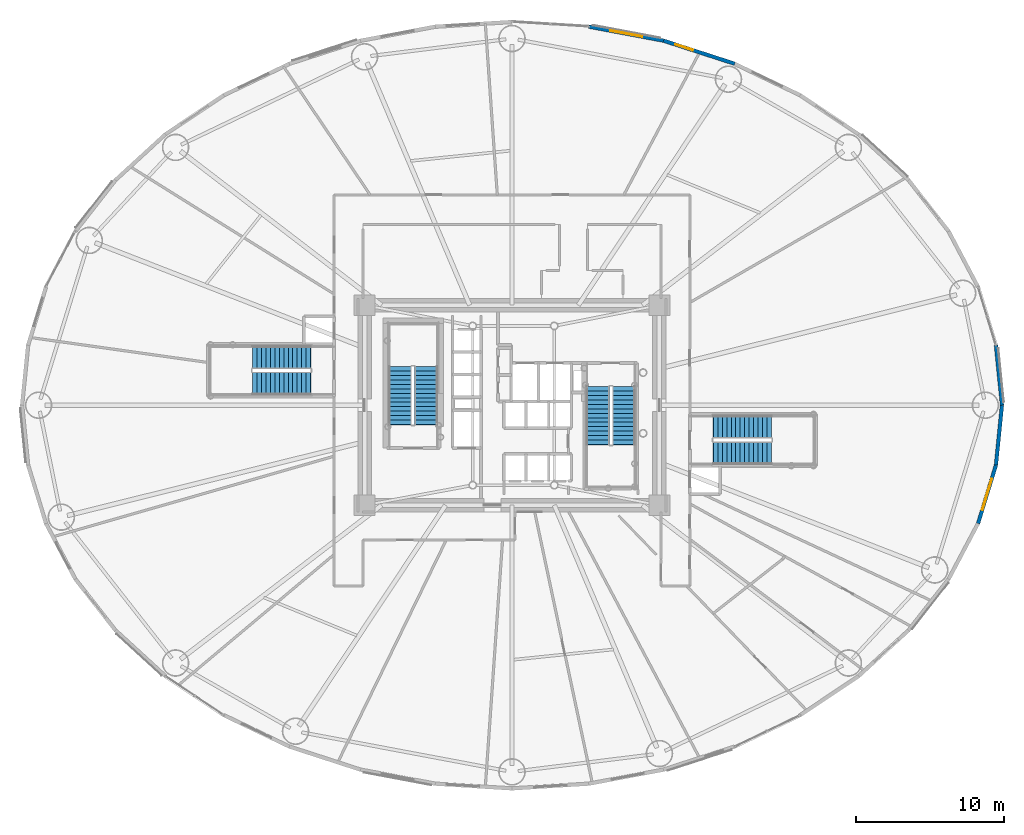
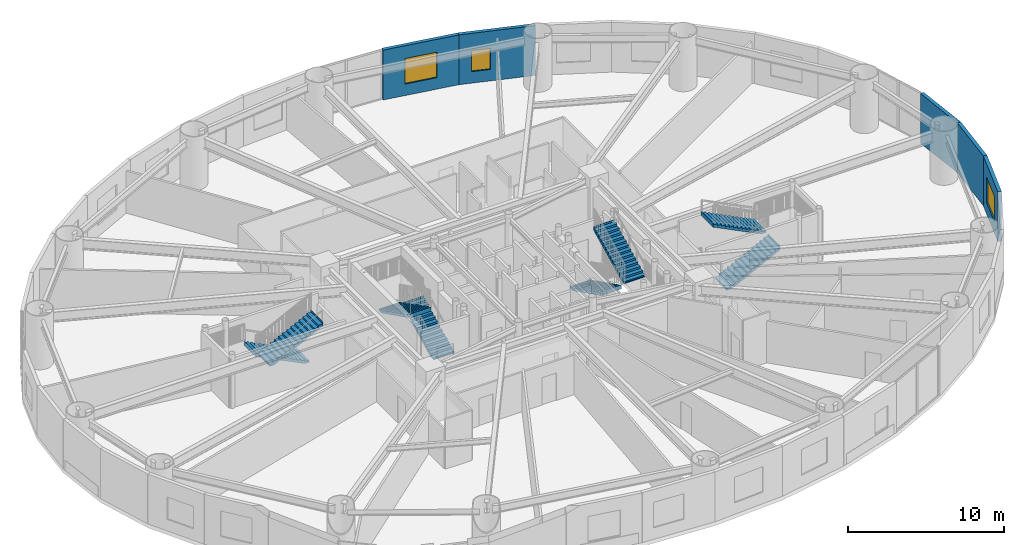
# One storey, part 17 of 27: 8 stair flights, 5 walls, 3 windows, 3 openings, 4 elements without a shape of their own.
"""IFC4 building model written with IfcOpenShell, lengths in metres."""

from ifc_helpers import new_model, si_unit, direction, frame, frame_2d, origin, origin_2d, place, context, subcontext, project, spatial, polyline, rectangle, outline, extrude, source, transform, mapped, material, layer, layer_set, type_object, element, fill, aggregate, save


model = new_model("IFC4")

# Units and contexts
model_context = context("Model", 3, precision=1e-05, world=origin(), true_north=direction((0.0, 1.0)))
body_context = subcontext(model_context, "Body", "Model", "MODEL_VIEW")
ifc_project = project(units=[si_unit("LENGTHUNIT", "METRE"), si_unit("AREAUNIT", "SQUARE_METRE"), si_unit("VOLUMEUNIT", "CUBIC_METRE"), si_unit("PLANEANGLEUNIT", "RADIAN"), si_unit("MASSUNIT", "GRAM", prefix="KILO")], contexts=[model_context])

# Site, building, storey
site_placement = place(None, origin())
site = spatial("IfcSite", under=ifc_project, at=site_placement, CompositionType="ELEMENT")
building_placement = place(site_placement, origin())
building = spatial("IfcBuilding", under=site, at=building_placement, Name="Linh Dai School and Residence Tower", CompositionType="ELEMENT")
storey_placement = place(building_placement, frame((0.0, 0.0, 18.60009765625)))
storey = spatial("IfcBuildingStorey", under=building, at=storey_placement, Name="L04", CompositionType="ELEMENT", Elevation=18.60009765625)

# Wall
ifc_material_1 = material(Name="Precast Concrete B45 (C35/45)", Category="concrete")
ifc_layer = layer(ifc_material_1, 0.25)
ifc_layer_set = layer_set([ifc_layer], Name="Precast Concrete B45 (C35/45)")
wall_type = type_object("IfcWallType", Name="EW-TC-250", PredefinedType="SOLIDWALL", material=ifc_layer_set)
wall_1_placement = place(storey_placement, frame((68.668701171875, 31.04248046875, 0.0), z_axis=(0.0, 0.0, 1.0), x_axis=(0.099991575324, -0.994988283782, 0.0)))
element("IfcWall", 1, at=wall_1_placement, inside=storey, type_object=wall_type, Name="L04 Terracotta Exterior Wall 01", PredefinedType="SOLIDWALL", context=body_context, shape_type="SweptSolid", body=[
    extrude(rectangle(XDim=4.062744140625, YDim=0.25, at=frame_2d((2.03125, 0.0))), origin(), (0.0, 0.0, 1.0), 3.89990234375),
])

# Wall, opening, window
wall_2_placement = place(storey_placement, frame((46.228515625, 51.6064453125, 0.0), z_axis=(0.0, 0.0, 1.0), x_axis=(0.951198629726, -0.308579271513, 0.0)))
wall_2 = element("IfcWall", 2, at=wall_2_placement, inside=storey, type_object=wall_type, Name="L04 Terracotta Exterior Wall 08", PredefinedType="SOLIDWALL", context=body_context, shape_type="SweptSolid", body=[
    extrude(rectangle(XDim=5.043701171875, YDim=0.25, at=frame_2d((2.52197265625, 0.0))), origin(), (0.0, 0.0, 1.0), 3.89990234375),
])
opening_1_placement = place(wall_2_placement, frame((0.837890625, 0.0, 0.89990234375)))
opening_1 = element("IfcOpeningElement", 3, at=opening_1_placement, cuts=wall_2, Name="Opening W3", PredefinedType="OPENING", context=body_context, shape_type="SweptSolid", body=[
    extrude(rectangle(XDim=1.25, YDim=1.64990234375, at=origin_2d()), frame((0.625, 0.135009765625, 0.824951171875), z_axis=(0.0, -1.0, 0.0), x_axis=(1.0, 0.0, 0.0)), (0.0, 0.0, 1.0), 0.27001953125),
])
ifc_material_2 = material(Name="Double Low-E Insulated Glazing", Category="glass")
window_type_1 = type_object("IfcWindowType", Name="WN-RES-1250x1650", PartitioningType="SINGLE_PANEL", PredefinedType="WINDOW", material=ifc_material_2)
shared_shape_1 = source(origin(), body_context, "Body", "SweptSolid", [
    extrude(rectangle(XDim=1.25, YDim=1.64990234375, at=origin_2d()), frame((0.625, 0.030029296875, 0.824951171875), z_axis=(0.0, -1.0, 0.0), x_axis=(1.0, 0.0, 0.0)), (0.0, 0.0, 1.0), 0.06005859375),
])
window_1_placement = place(opening_1_placement, origin())
window_1 = element("IfcWindow", 4, at=window_1_placement, inside=storey, type_object=window_type_1, Name="L04 Exterior Window 08.1", OverallHeight=1.64990234375, OverallWidth=1.25, PartitioningType="SINGLE_PANEL", PredefinedType="WINDOW", context=body_context, shape_type="MappedRepresentation", body=[
    mapped(shared_shape_1, transform((0.0, 0.0, 0.0), x_axis=(1.0, 0.0, 0.0), y_axis=(0.0, 1.0, 0.0), z_axis=(0.0, 0.0, 1.0), scale=1.0)),
])
fill(opening_1, window_1)

wall_3_placement = place(storey_placement, frame((41.17822265625, 52.555908203125, 0.0), z_axis=(0.0, 0.0, 1.0), x_axis=(0.98278278947, -0.184764684726, 0.0)))
wall_3 = element("IfcWall", 5, at=wall_3_placement, inside=storey, type_object=wall_type, Name="L04 Terracotta Exterior Wall 09", PredefinedType="SOLIDWALL", context=body_context, shape_type="SweptSolid", body=[
    extrude(rectangle(XDim=5.138671875, YDim=0.25, at=frame_2d((2.5693359375, 0.0))), origin(), (0.0, 0.0, 1.0), 3.89990234375),
])
opening_2_placement = place(wall_3_placement, frame((1.469482421875, 0.0, 0.89990234375)))
opening_2 = element("IfcOpeningElement", 6, at=opening_2_placement, cuts=wall_3, Name="Opening W4", PredefinedType="OPENING", context=body_context, shape_type="SweptSolid", body=[
    extrude(rectangle(XDim=2.199951171875, YDim=2.0, at=origin_2d()), frame((1.10009765625, 0.135009765625, 1.0), z_axis=(0.0, -1.0, 0.0), x_axis=(1.0, 0.0, 0.0)), (0.0, 0.0, 1.0), 0.27001953125),
])
ifc_material_3 = material(Name="Acoustic Laminated Low-E Glazing", Category="glass")
window_type_2 = type_object("IfcWindowType", Name="WN-SCH-2200x2000", PartitioningType="TRIPLE_PANEL_VERTICAL", PredefinedType="WINDOW", material=ifc_material_3)
shared_shape_2 = source(origin(), body_context, "Body", "SweptSolid", [
    extrude(rectangle(XDim=2.199951171875, YDim=2.0, at=origin_2d()), frame((1.10009765625, 0.030029296875, 1.0), z_axis=(0.0, -1.0, 0.0), x_axis=(1.0, 0.0, 0.0)), (0.0, 0.0, 1.0), 0.06005859375),
])
window_2_placement = place(opening_2_placement, origin())
window_2 = element("IfcWindow", 7, at=window_2_placement, inside=storey, type_object=window_type_2, Name="L04 Exterior Window 09.1", OverallHeight=2.0, OverallWidth=2.199951171875, PartitioningType="TRIPLE_PANEL_VERTICAL", PredefinedType="WINDOW", context=body_context, shape_type="MappedRepresentation", body=[
    mapped(shared_shape_2, transform((0.0, 0.0, 0.0), x_axis=(1.0, 0.0, 0.0), y_axis=(0.0, 1.0, 0.0), z_axis=(0.0, 0.0, 1.0), scale=1.0)),
])
fill(opening_2, window_2)

wall_4_placement = place(storey_placement, frame((68.668701171875, 22.95751953125, 0.0), z_axis=(0.0, 0.0, 1.0), x_axis=(-0.293070945898, -0.956090696885, 0.0)))
wall_4 = element("IfcWall", 8, at=wall_4_placement, inside=storey, type_object=wall_type, Name="L04 Terracotta Exterior Wall 39", PredefinedType="SOLIDWALL", context=body_context, shape_type="SweptSolid", body=[
    extrude(rectangle(XDim=4.125244140625, YDim=0.25, at=frame_2d((2.0625, 0.0))), origin(), (0.0, 0.0, 1.0), 3.89990234375),
])
opening_3_placement = place(wall_4_placement, frame((0.962646484375, 0.0, 0.89990234375)))
opening_3 = element("IfcOpeningElement", 9, at=opening_3_placement, cuts=wall_4, Name="Opening W4", PredefinedType="OPENING", context=body_context, shape_type="SweptSolid", body=[
    extrude(rectangle(XDim=2.199951171875, YDim=2.0, at=origin_2d()), frame((1.10009765625, 0.135009765625, 1.0), z_axis=(0.0, -1.0, 0.0), x_axis=(1.0, 0.0, 0.0)), (0.0, 0.0, 1.0), 0.27001953125),
])
window_3_placement = place(opening_3_placement, origin())
window_3 = element("IfcWindow", 10, at=window_3_placement, inside=storey, type_object=window_type_2, Name="L04 Exterior Window 39.1", OverallHeight=2.0, OverallWidth=2.199951171875, PartitioningType="TRIPLE_PANEL_VERTICAL", PredefinedType="WINDOW", context=body_context, shape_type="MappedRepresentation", body=[
    mapped(shared_shape_2, transform((0.0, 0.0, 0.0), x_axis=(1.0, 0.0, 0.0), y_axis=(0.0, 1.0, 0.0), z_axis=(0.0, 0.0, 1.0), scale=1.0)),
])
fill(opening_3, window_3)

# Wall
wall_5_placement = place(storey_placement, frame((69.074951171875, 27.0, 0.0), z_axis=(0.0, 0.0, 1.0), x_axis=(-0.099991575324, -0.994988283782, 0.0)))
element("IfcWall", 11, at=wall_5_placement, inside=storey, type_object=wall_type, Name="L04 Terracotta Exterior Wall 40", PredefinedType="SOLIDWALL", context=body_context, shape_type="SweptSolid", body=[
    extrude(rectangle(XDim=4.062744140625, YDim=0.25, at=frame_2d((2.03125, 0.0))), origin(), (0.0, 0.0, 1.0), 3.89990234375),
])

# Stair, stair flights
ifc_material_4 = material(Name="Concrete B45 (C35/45)", Category="concrete")
stair_type = type_object("IfcStairType", Name="ST-DOG-1550-R1500", PredefinedType="HALF_TURN_STAIR", material=ifc_material_4)
stair_1_placement = place(storey_placement, origin())
stair_1 = element("IfcStair", 12, at=stair_1_placement, inside=storey, type_object=stair_type, Name="L04 Core Smokeproof Exit Stair ST1", PredefinedType="HALF_TURN_STAIR")
stair_flight_type = type_object("IfcStairFlightType", Name="STF-STR-1550-R1500", PredefinedType="STRAIGHT", material=ifc_material_4)
shared_shape_3 = source(origin(), body_context, "Body", "SweptSolid", [
    extrude(outline(polyline([(-0.02490234375, 0.0), (-0.02490234375, 0.06005859375), (0.0, 0.06005859375), (0.0, 0.14990234375), (0.300048828125, 0.14990234375), (0.300048828125, 0.300048828125), (0.60009765625, 0.300048828125), (0.60009765625, 0.449951171875), (0.89990234375, 0.449951171875), (0.89990234375, 0.60009765625), (1.199951171875, 0.60009765625), (1.199951171875, 0.75), (1.5, 0.75), (1.5, 0.89990234375), (1.800048828125, 0.89990234375), (1.800048828125, 1.050048828125), (2.10009765625, 1.050048828125), (2.10009765625, 1.199951171875), (2.39990234375, 1.199951171875), (2.39990234375, 1.35009765625), (2.699951171875, 1.35009765625), (2.699951171875, 1.5), (3.0, 1.5), (3.0, 1.64990234375), (3.300048828125, 1.64990234375), (3.300048828125, 1.800048828125), (3.60009765625, 1.800048828125), (3.60009765625, 1.949951171875), (3.89990234375, 1.949951171875), (3.89990234375, 2.10009765625), (3.925048828125, 2.10009765625), (3.925048828125, 1.782470703125), (3.89990234375, 1.782470703125), (0.335205078125, 0.0), (-0.02490234375, 0.0)])), frame((0.0, 0.77490234375, 0.0), z_axis=(0.0, -1.0, 0.0), x_axis=(1.0, 0.0, 0.0)), (0.0, 0.0, 1.0), 1.550048828125),
])
stair_flight_1_placement = place(storey_placement, frame((30.205078125, 25.699951171875, 0.0), z_axis=(0.0, 0.0, 1.0), x_axis=(0.0, 1.0, 0.0)))
stair_flight_1 = element("IfcStairFlight", 13, at=stair_flight_1_placement, type_object=stair_flight_type, Name="ST1 flight 1", NumberOfRisers=14, NumberOfTreads=13, PredefinedType="STRAIGHT", RiserHeight=0.15, TreadLength=0.3, context=body_context, shape_type="MappedRepresentation", body=[
    mapped(shared_shape_3, transform((0.0, 0.0, 0.0), x_axis=(1.0, 0.0, 0.0), y_axis=(0.0, 1.0, 0.0), z_axis=(0.0, 0.0, 1.0), scale=1.0)),
])
stair_flight_2_placement = place(storey_placement, frame((28.455078125, 29.60009765625, 2.099853515625), z_axis=(0.0, 0.0, 1.0), x_axis=(0.0, -1.0, 0.0)))
stair_flight_2 = element("IfcStairFlight", 14, at=stair_flight_2_placement, type_object=stair_flight_type, Name="ST1 flight 2", NumberOfRisers=14, NumberOfTreads=13, PredefinedType="STRAIGHT", RiserHeight=0.15, TreadLength=0.3, context=body_context, shape_type="MappedRepresentation", body=[
    mapped(shared_shape_3, transform((0.0, 0.0, 0.0), x_axis=(1.0, 0.0, 0.0), y_axis=(0.0, 1.0, 0.0), z_axis=(0.0, 0.0, 1.0), scale=1.0)),
])
aggregate(stair_1, [stair_flight_1, stair_flight_2])

stair_2_placement = place(storey_placement, origin())
stair_2 = element("IfcStair", 15, at=stair_2_placement, inside=storey, type_object=stair_type, Name="L04 Core Smokeproof Exit Stair ST2", PredefinedType="HALF_TURN_STAIR")
stair_flight_3_placement = place(storey_placement, frame((41.794921875, 28.25, 0.0), z_axis=(0.0, 0.0, 1.0), x_axis=(0.0, -1.0, 0.0)))
stair_flight_3 = element("IfcStairFlight", 16, at=stair_flight_3_placement, type_object=stair_flight_type, Name="ST2 flight 1", NumberOfRisers=14, NumberOfTreads=13, PredefinedType="STRAIGHT", RiserHeight=0.15, TreadLength=0.3, context=body_context, shape_type="MappedRepresentation", body=[
    mapped(shared_shape_3, transform((0.0, 0.0, 0.0), x_axis=(1.0, 0.0, 0.0), y_axis=(0.0, 1.0, 0.0), z_axis=(0.0, 0.0, 1.0), scale=1.0)),
])
stair_flight_4_placement = place(storey_placement, frame((43.544921875, 24.35009765625, 2.099853515625), z_axis=(0.0, 0.0, 1.0), x_axis=(0.0, 1.0, 0.0)))
stair_flight_4 = element("IfcStairFlight", 17, at=stair_flight_4_placement, type_object=stair_flight_type, Name="ST2 flight 2", NumberOfRisers=14, NumberOfTreads=13, PredefinedType="STRAIGHT", RiserHeight=0.15, TreadLength=0.3, context=body_context, shape_type="MappedRepresentation", body=[
    mapped(shared_shape_3, transform((0.0, 0.0, 0.0), x_axis=(1.0, 0.0, 0.0), y_axis=(0.0, 1.0, 0.0), z_axis=(0.0, 0.0, 1.0), scale=1.0)),
])
aggregate(stair_2, [stair_flight_3, stair_flight_4])

stair_3_placement = place(storey_placement, origin())
stair_3 = element("IfcStair", 18, at=stair_3_placement, inside=storey, type_object=stair_type, Name="L04 School Exit Stair STS1", PredefinedType="HALF_TURN_STAIR")
stair_flight_5_placement = place(storey_placement, frame((22.39990234375, 30.22509765625, 0.0), z_axis=(0.0, 0.0, 1.0), x_axis=(-1.0, 0.0, 0.0)))
stair_flight_5 = element("IfcStairFlight", 19, at=stair_flight_5_placement, type_object=stair_flight_type, Name="STS1 flight 1", NumberOfRisers=14, NumberOfTreads=13, PredefinedType="STRAIGHT", RiserHeight=0.15, TreadLength=0.3, context=body_context, shape_type="MappedRepresentation", body=[
    mapped(shared_shape_3, transform((0.0, 0.0, 0.0), x_axis=(1.0, 0.0, 0.0), y_axis=(0.0, 1.0, 0.0), z_axis=(0.0, 0.0, 1.0), scale=1.0)),
])
stair_flight_6_placement = place(storey_placement, frame((18.5, 28.47509765625, 2.099853515625), z_axis=(0.0, 0.0, 1.0), x_axis=(1.0, 0.0, 0.0)))
stair_flight_6 = element("IfcStairFlight", 20, at=stair_flight_6_placement, type_object=stair_flight_type, Name="STS1 flight 2", NumberOfRisers=14, NumberOfTreads=13, PredefinedType="STRAIGHT", RiserHeight=0.15, TreadLength=0.3, context=body_context, shape_type="MappedRepresentation", body=[
    mapped(shared_shape_3, transform((0.0, 0.0, 0.0), x_axis=(1.0, 0.0, 0.0), y_axis=(0.0, 1.0, 0.0), z_axis=(0.0, 0.0, 1.0), scale=1.0)),
])
aggregate(stair_3, [stair_flight_5, stair_flight_6])

stair_4_placement = place(storey_placement, origin())
stair_4 = element("IfcStair", 21, at=stair_4_placement, inside=storey, type_object=stair_type, Name="L04 School Exit Stair STS2", PredefinedType="HALF_TURN_STAIR")
stair_flight_7_placement = place(storey_placement, frame((49.60009765625, 23.77490234375, 0.0), z_axis=(0.0, 0.0, 1.0), x_axis=(1.0, 0.0, 0.0)))
stair_flight_7 = element("IfcStairFlight", 22, at=stair_flight_7_placement, type_object=stair_flight_type, Name="STS2 flight 1", NumberOfRisers=14, NumberOfTreads=13, PredefinedType="STRAIGHT", RiserHeight=0.15, TreadLength=0.3, context=body_context, shape_type="MappedRepresentation", body=[
    mapped(shared_shape_3, transform((0.0, 0.0, 0.0), x_axis=(1.0, 0.0, 0.0), y_axis=(0.0, 1.0, 0.0), z_axis=(0.0, 0.0, 1.0), scale=1.0)),
])
stair_flight_8_placement = place(storey_placement, frame((53.5, 25.52490234375, 2.099853515625), z_axis=(0.0, 0.0, 1.0), x_axis=(-1.0, 0.0, 0.0)))
stair_flight_8 = element("IfcStairFlight", 23, at=stair_flight_8_placement, type_object=stair_flight_type, Name="STS2 flight 2", NumberOfRisers=14, NumberOfTreads=13, PredefinedType="STRAIGHT", RiserHeight=0.15, TreadLength=0.3, context=body_context, shape_type="MappedRepresentation", body=[
    mapped(shared_shape_3, transform((0.0, 0.0, 0.0), x_axis=(1.0, 0.0, 0.0), y_axis=(0.0, 1.0, 0.0), z_axis=(0.0, 0.0, 1.0), scale=1.0)),
])
aggregate(stair_4, [stair_flight_7, stair_flight_8])

save(model, "model.ifc")
